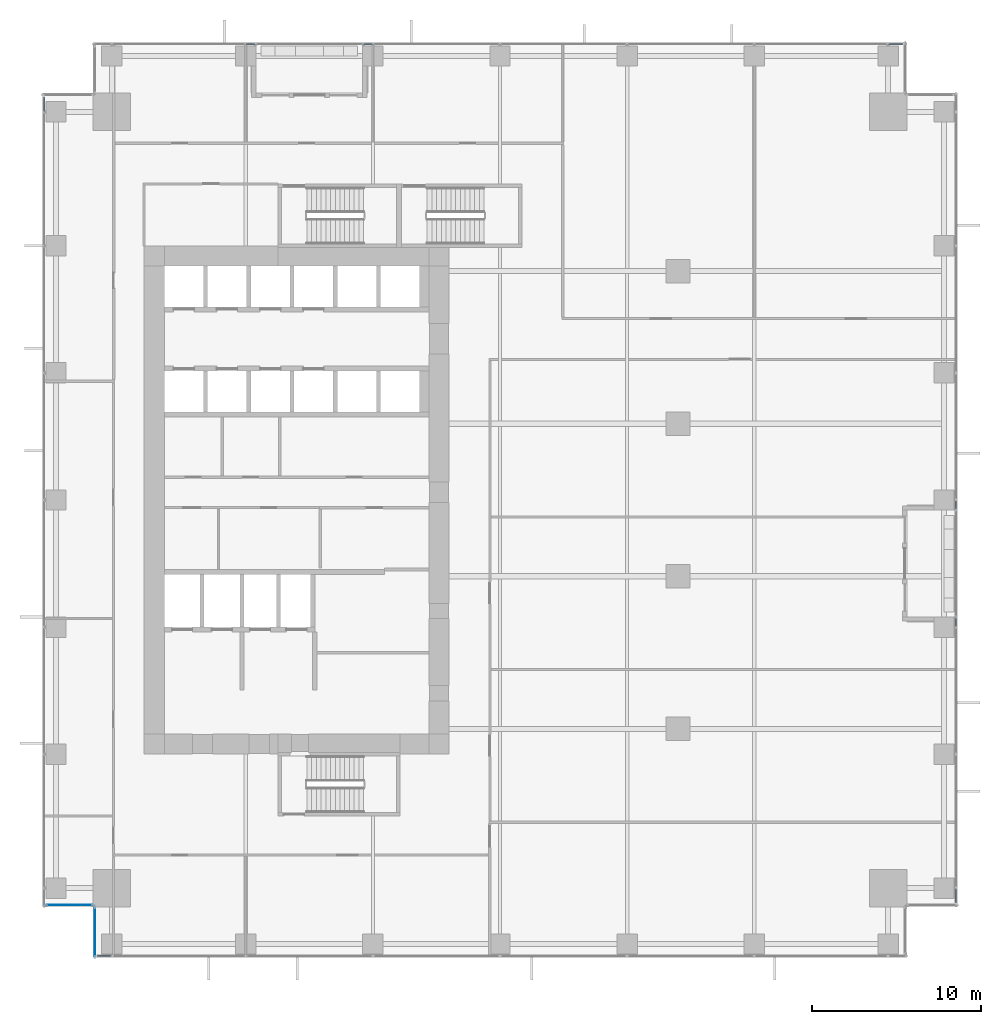
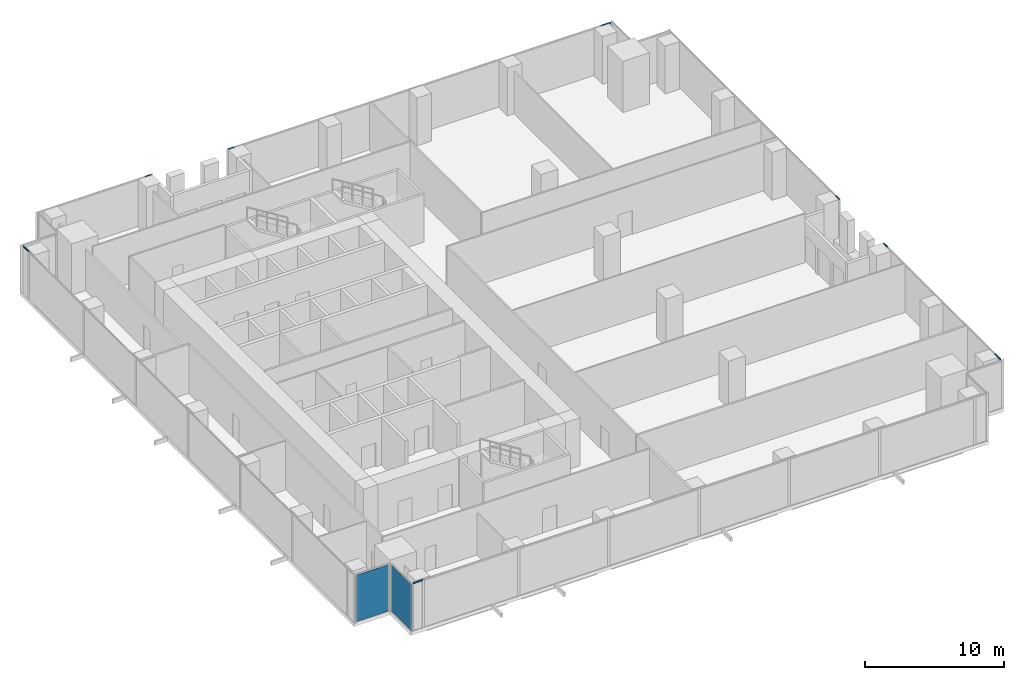
# One storey, part 20 of 32: 8 members, 2 plates, 8 elements without a shape of their own.
"""IFC4 building model written with IfcOpenShell, lengths in metres."""

from ifc_helpers import new_model, si_unit, direction, frame, origin, origin_2d, place, context, subcontext, project, spatial, rectangle, hollow_rectangle, extrude, source, transform, mapped, material, layer, layer_set, material_profile, profile_set, type_object, element, aggregate, save


model = new_model("IFC4")

# Units and contexts
model_context = context("Model", 3, precision=1e-05, world=origin(), true_north=direction((0.0, 1.0)))
body_context = subcontext(model_context, "Body", "Model", "MODEL_VIEW")
ifc_project = project(units=[si_unit("LENGTHUNIT", "METRE"), si_unit("AREAUNIT", "SQUARE_METRE"), si_unit("VOLUMEUNIT", "CUBIC_METRE"), si_unit("PLANEANGLEUNIT", "RADIAN"), si_unit("MASSUNIT", "GRAM", prefix="KILO")], contexts=[model_context])

# Site, building, storey
site_placement = place(None, origin())
site = spatial("IfcSite", under=ifc_project, at=site_placement, CompositionType="ELEMENT")
building_placement = place(site_placement, origin())
building = spatial("IfcBuilding", under=site, at=building_placement, Name="Khomas Fold Tower", CompositionType="ELEMENT")
storey_placement = place(building_placement, frame((0.0, 0.0, 42.0)))
storey = spatial("IfcBuildingStorey", under=building, at=storey_placement, Name="L08", CompositionType="ELEMENT", Elevation=42.0)

# Curtain wall, member
ifc_material_1 = material(Name="Aluminium framed double glazing", Category="aluminium")
curtain_wall_type = type_object("IfcCurtainWallType", Name="SK-Unitised clear-glass wall, growing floors CW1", PredefinedType="NOTDEFINED", material=ifc_material_1)
curtain_wall_1_placement = place(storey_placement, origin())
curtain_wall_1 = element("IfcCurtainWall", 1, at=curtain_wall_1_placement, inside=storey, type_object=curtain_wall_type, Name="CW1 run L08 00-0", PredefinedType="NOTDEFINED")
ifc_material_2 = material(Name="Aluminium", Category="aluminium")
ifc_material_profile = material_profile(ifc_material_2, hollow_rectangle(XDim=0.06005859375, YDim=0.1201171875, WallThickness=0.00390625, at=origin_2d()), Name="SK-Unitised clear-glass wall, growing floors transom CW1-T")
ifc_profile_set = profile_set([ifc_material_profile], Name="Aluminium")
member_type = type_object("IfcMemberType", Name="SK-Unitised clear-glass wall, growing floors transom CW1-T", PredefinedType="USERDEFINED", material=ifc_profile_set)
shared_shape_1 = source(origin(), body_context, "Body", "SweptSolid", [
    extrude(hollow_rectangle(XDim=0.06005859375, YDim=0.1201171875, WallThickness=0.00390625, at=origin_2d()), origin(), (0.0, 0.0, 1.0), 0.81005859375),
])
member_1_placement = place(storey_placement, frame((3.260009765625, 0.10009765625, 4.139892578125), z_axis=(1.0, 0.0, 0.0), x_axis=(0.0, 1.0, 0.0)))
member_1 = element("IfcMember", 2, at=member_1_placement, type_object=member_type, Name="CW1 transom 1", ObjectType="TRANSOM", PredefinedType="USERDEFINED", context=body_context, shape_type="MappedRepresentation", body=[
    mapped(shared_shape_1, transform((0.0, 0.0, 0.0))),
])
aggregate(curtain_wall_1, [member_1])

curtain_wall_2_placement = place(storey_placement, origin())
curtain_wall_2 = element("IfcCurtainWall", 3, at=curtain_wall_2_placement, inside=storey, type_object=curtain_wall_type, Name="CW1 run L08 03-0", PredefinedType="NOTDEFINED")
member_2_placement = place(storey_placement, frame((53.89990234375, 3.260009765625, 4.139892578125), z_axis=(0.0, 1.0, 0.0), x_axis=(-1.0, 0.0, 0.0)))
member_2 = element("IfcMember", 4, at=member_2_placement, type_object=member_type, Name="CW1 transom 1", ObjectType="TRANSOM", PredefinedType="USERDEFINED", context=body_context, shape_type="MappedRepresentation", body=[
    mapped(shared_shape_1, transform((0.0, 0.0, 0.0))),
])

curtain_wall_3_placement = place(storey_placement, origin())
curtain_wall_3 = element("IfcCurtainWall", 5, at=curtain_wall_3_placement, inside=storey, type_object=curtain_wall_type, Name="CW1 run L08 06-0", PredefinedType="NOTDEFINED")
member_3_placement = place(storey_placement, frame((50.739990234375, 53.89990234375, 4.139892578125), z_axis=(-1.0, 0.0, 0.0), x_axis=(0.0, -1.0, 0.0)))
member_3 = element("IfcMember", 6, at=member_3_placement, type_object=member_type, Name="CW1 transom 1", ObjectType="TRANSOM", PredefinedType="USERDEFINED", context=body_context, shape_type="MappedRepresentation", body=[
    mapped(shared_shape_1, transform((0.0, 0.0, 0.0))),
])

curtain_wall_4_placement = place(storey_placement, origin())
curtain_wall_4 = element("IfcCurtainWall", 7, at=curtain_wall_4_placement, inside=storey, type_object=curtain_wall_type, Name="CW1 run L08 09-0", PredefinedType="NOTDEFINED")
member_4_placement = place(storey_placement, frame((0.10009765625, 50.739990234375, 4.139892578125), z_axis=(0.0, -1.0, 0.0), x_axis=(1.0, 0.0, 0.0)))
member_4 = element("IfcMember", 8, at=member_4_placement, type_object=member_type, Name="CW1 transom 1", ObjectType="TRANSOM", PredefinedType="USERDEFINED", context=body_context, shape_type="MappedRepresentation", body=[
    mapped(shared_shape_1, transform((0.0, 0.0, 0.0))),
])
aggregate(curtain_wall_4, [member_4])

# Member
shared_shape_2 = source(origin(), body_context, "Body", "SweptSolid", [
    extrude(hollow_rectangle(XDim=0.06005859375, YDim=0.1201171875, WallThickness=0.00390625, at=origin_2d()), origin(), (0.0, 0.0, 1.0), 0.510009765625),
])
member_5_placement = place(storey_placement, frame((53.89990234375, 19.530029296875, 4.139892578125), z_axis=(0.0, 1.0, 0.0), x_axis=(-1.0, 0.0, 0.0)))
member_5 = element("IfcMember", 9, at=member_5_placement, type_object=member_type, Name="CW1 transom 4", ObjectType="TRANSOM", PredefinedType="USERDEFINED", context=body_context, shape_type="MappedRepresentation", body=[
    mapped(shared_shape_2, transform((0.0, 0.0, 0.0))),
])

aggregate(curtain_wall_2, [member_2, member_5])

# Curtain wall, member
curtain_wall_5_placement = place(storey_placement, origin())
curtain_wall_5 = element("IfcCurtainWall", 10, at=curtain_wall_5_placement, inside=storey, type_object=curtain_wall_type, Name="CW1 run L08 03-1", PredefinedType="NOTDEFINED")
member_6_placement = place(storey_placement, frame((53.89990234375, 26.4599609375, 4.139892578125), z_axis=(0.0, 1.0, 0.0), x_axis=(-1.0, 0.0, 0.0)))
member_6 = element("IfcMember", 11, at=member_6_placement, type_object=member_type, Name="CW1 transom 1", ObjectType="TRANSOM", PredefinedType="USERDEFINED", context=body_context, shape_type="MappedRepresentation", body=[
    mapped(shared_shape_2, transform((0.0, 0.0, 0.0))),
])
aggregate(curtain_wall_5, [member_6])

# Member
member_7_placement = place(storey_placement, frame((19.469970703125, 53.89990234375, 4.139892578125), z_axis=(-1.0, 0.0, 0.0), x_axis=(0.0, -1.0, 0.0)))
member_7 = element("IfcMember", 12, at=member_7_placement, type_object=member_type, Name="CW1 transom 6", ObjectType="TRANSOM", PredefinedType="USERDEFINED", context=body_context, shape_type="MappedRepresentation", body=[
    mapped(shared_shape_2, transform((0.0, 0.0, 0.0))),
])

aggregate(curtain_wall_3, [member_3, member_7])

# Curtain wall, member
curtain_wall_6_placement = place(storey_placement, origin())
curtain_wall_6 = element("IfcCurtainWall", 13, at=curtain_wall_6_placement, inside=storey, type_object=curtain_wall_type, Name="CW1 run L08 06-1", PredefinedType="NOTDEFINED")
member_8_placement = place(storey_placement, frame((12.5400390625, 53.89990234375, 4.139892578125), z_axis=(-1.0, 0.0, 0.0), x_axis=(0.0, -1.0, 0.0)))
member_8 = element("IfcMember", 14, at=member_8_placement, type_object=member_type, Name="CW1 transom 1", ObjectType="TRANSOM", PredefinedType="USERDEFINED", context=body_context, shape_type="MappedRepresentation", body=[
    mapped(shared_shape_2, transform((0.0, 0.0, 0.0))),
])
aggregate(curtain_wall_6, [member_8])

# Curtain wall, plate
curtain_wall_7_placement = place(storey_placement, origin())
curtain_wall_7 = element("IfcCurtainWall", 15, at=curtain_wall_7_placement, inside=storey, type_object=curtain_wall_type, Name="CW1 corner return L08 10", PredefinedType="NOTDEFINED")
ifc_material_3 = material(Name="Clear double glazed unit")
ifc_layer = layer(ifc_material_3, 0.031982421875)
ifc_layer_set = layer_set([ifc_layer], Name="Clear double glazed unit")
plate_type = type_object("IfcPlateType", Name="SK-Unitised clear-glass wall, growing floors glass panel CW1-P", PredefinedType="CURTAIN_PANEL", material=ifc_layer_set)
shared_shape_3 = source(origin(), body_context, "Body", "SweptSolid", [
    extrude(rectangle(XDim=2.679931640625, YDim=0.031982421875, at=origin_2d()), origin(), (0.0, 0.0, 1.0), 4.080078125),
])
plate_1_placement = place(storey_placement, frame((1.60009765625, 3.10009765625, 0.0), z_axis=(0.0, 0.0, 1.0), x_axis=(1.0, 0.0, 0.0)))
plate_1 = element("IfcPlate", 16, at=plate_1_placement, type_object=plate_type, Name="CW1 glass panel 1", PredefinedType="CURTAIN_PANEL", context=body_context, shape_type="MappedRepresentation", body=[
    mapped(shared_shape_3, transform((0.0, 0.0, 0.0))),
])
aggregate(curtain_wall_7, [plate_1])

curtain_wall_8_placement = place(storey_placement, origin())
curtain_wall_8 = element("IfcCurtainWall", 17, at=curtain_wall_8_placement, inside=storey, type_object=curtain_wall_type, Name="CW1 corner return L08 11", PredefinedType="NOTDEFINED")
shared_shape_4 = source(origin(), body_context, "Body", "SweptSolid", [
    extrude(rectangle(XDim=2.8798828125, YDim=0.031982421875, at=origin_2d()), origin(), (0.0, 0.0, 1.0), 4.080078125),
])
plate_2_placement = place(storey_placement, frame((3.10009765625, 1.5, 0.0), z_axis=(0.0, 0.0, 1.0), x_axis=(0.0, -1.0, 0.0)))
plate_2 = element("IfcPlate", 18, at=plate_2_placement, type_object=plate_type, Name="CW1 glass panel 1", PredefinedType="CURTAIN_PANEL", context=body_context, shape_type="MappedRepresentation", body=[
    mapped(shared_shape_4, transform((0.0, 0.0, 0.0))),
])
aggregate(curtain_wall_8, [plate_2])

save(model, "model.ifc")
